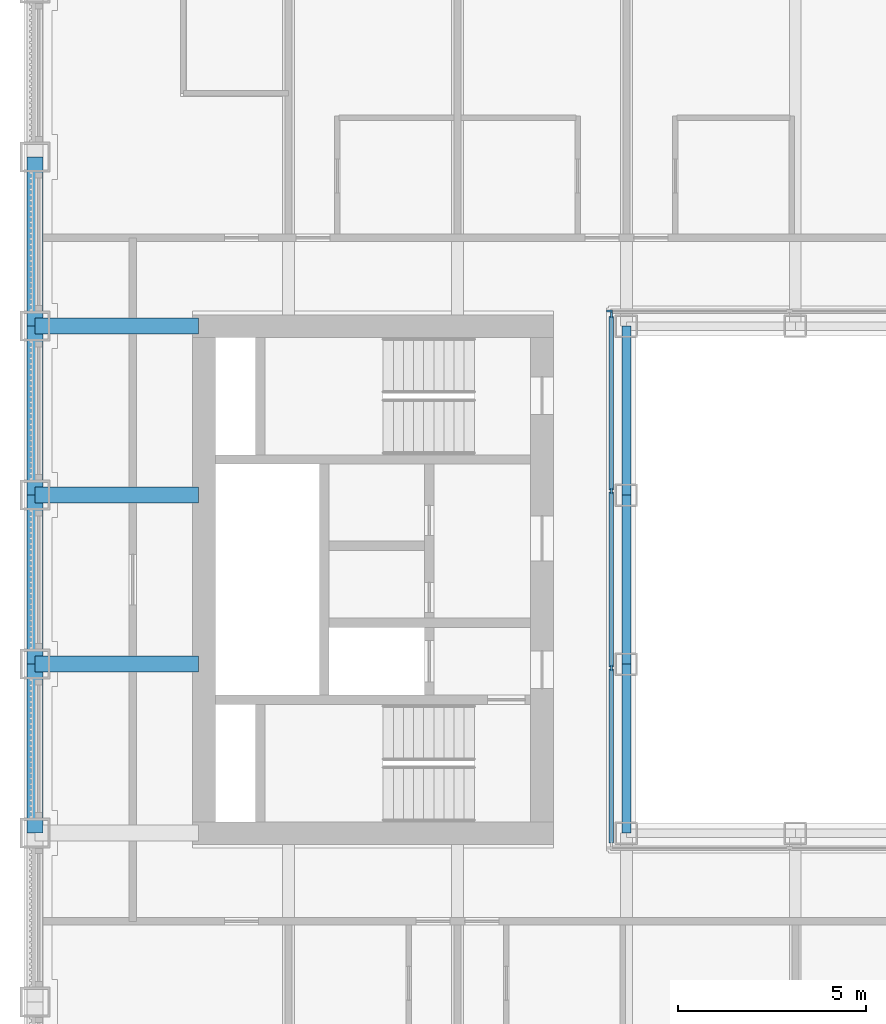
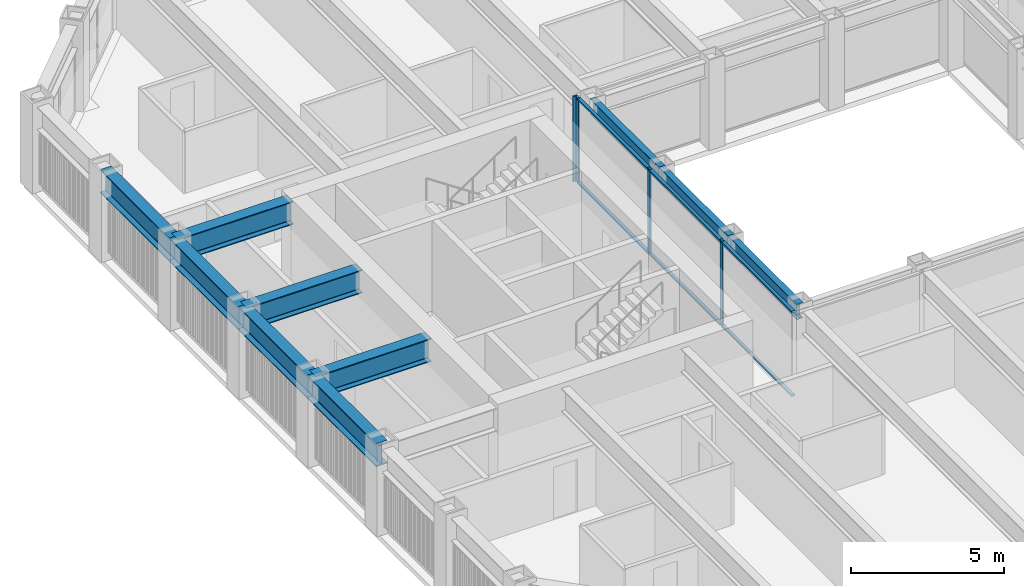
# One storey, part 4 of 17: 10 beams, 10 members, 2 elements without a shape of their own.
"""IFC4 building model written with IfcOpenShell, lengths in metres."""

from ifc_helpers import new_model, si_unit, direction, frame, origin, origin_2d, place, context, subcontext, project, spatial, rectangle, i_section, extrude, material, material_profile, profile_set, type_object, element, aggregate, save


model = new_model("IFC4")

# Units and contexts
model_context = context("Model", 3, precision=1e-05, world=origin(), true_north=direction((0.0, 1.0)))
body_context = subcontext(model_context, "Body", "Model", "MODEL_VIEW")
ifc_project = project(units=[si_unit("LENGTHUNIT", "METRE"), si_unit("AREAUNIT", "SQUARE_METRE"), si_unit("VOLUMEUNIT", "CUBIC_METRE"), si_unit("PLANEANGLEUNIT", "RADIAN"), si_unit("MASSUNIT", "GRAM", prefix="KILO")], contexts=[model_context])

# Site, building, storey
site_placement = place(None, origin())
site = spatial("IfcSite", under=ifc_project, at=site_placement, CompositionType="ELEMENT")
building_placement = place(site_placement, origin())
building = spatial("IfcBuilding", under=site, at=building_placement, Name="Msasa Ring Tower", CompositionType="ELEMENT")
storey_placement = place(building_placement, frame((0.0, 0.0, 132.800048828125)))
storey = spatial("IfcBuildingStorey", under=building, at=storey_placement, Name="L34", CompositionType="ELEMENT", Elevation=132.800048828125)

# Curtain wall, member
ifc_material_1 = material(Name="Aluminium curtain wall with clear glass", Category="aluminium")
curtain_wall_type = type_object("IfcCurtainWallType", Name="CW-W LIGHT WELL CURTAIN WALL", PredefinedType="NOTDEFINED", material=ifc_material_1)
curtain_wall_1_placement = place(storey_placement, origin())
curtain_wall_1 = element("IfcCurtainWall", 1, at=curtain_wall_1_placement, inside=storey, type_object=curtain_wall_type, Name="Light well curtain wall N L34", PredefinedType="NOTDEFINED")
ifc_material_2 = material(Name="Aluminium mullion", Category="aluminium")
ifc_material_profile_1 = material_profile(ifc_material_2, rectangle(XDim=0.06005859375, YDim=0.159912109375, at=origin_2d()), Name="AL 60x160")
ifc_profile_set_1 = profile_set([ifc_material_profile_1], Name="Aluminium mullion")
member_type_1 = type_object("IfcMemberType", Name="CW-W MULLION 60x160", PredefinedType="MULLION", material=ifc_profile_set_1)
member_1_placement = place(storey_placement, frame((-7.199951171875, 7.14990234375, 0.0), z_axis=(0.0, 0.0, 1.0), x_axis=(0.0, 1.0, 0.0)))
member_1 = element("IfcMember", 2, at=member_1_placement, type_object=member_type_1, Name="CW-W mullion 1", PredefinedType="MULLION", context=body_context, shape_type="SweptSolid", body=[
    extrude(rectangle(XDim=0.06005859375, YDim=0.159912109375, at=origin_2d()), origin(), (0.0, 0.0, 1.0), 3.39990234375),
])
aggregate(curtain_wall_1, [member_1])

# Curtain wall, members
curtain_wall_2_placement = place(storey_placement, origin())
curtain_wall_2 = element("IfcCurtainWall", 3, at=curtain_wall_2_placement, inside=storey, type_object=curtain_wall_type, Name="Light well curtain wall W L34", PredefinedType="NOTDEFINED")
member_2_placement = place(storey_placement, frame((-7.14990234375, -2.356689453125, 0.0), z_axis=(0.0, 0.0, 1.0), x_axis=(-1.0, 0.0, 0.0)))
member_2 = element("IfcMember", 4, at=member_2_placement, type_object=member_type_1, Name="CW-W mullion 2", PredefinedType="MULLION", context=body_context, shape_type="SweptSolid", body=[
    extrude(rectangle(XDim=0.06005859375, YDim=0.159912109375, at=origin_2d()), origin(), (0.0, 0.0, 1.0), 3.39990234375),
])
member_3_placement = place(storey_placement, frame((-7.14990234375, 2.356689453125, 0.0), z_axis=(0.0, 0.0, 1.0), x_axis=(-1.0, 0.0, 0.0)))
member_3 = element("IfcMember", 5, at=member_3_placement, type_object=member_type_1, Name="CW-W mullion 3", PredefinedType="MULLION", context=body_context, shape_type="SweptSolid", body=[
    extrude(rectangle(XDim=0.06005859375, YDim=0.159912109375, at=origin_2d()), origin(), (0.0, 0.0, 1.0), 3.39990234375),
])
member_4_placement = place(storey_placement, frame((-7.14990234375, 7.0400390625, 0.0), z_axis=(0.0, 0.0, 1.0), x_axis=(-1.0, 0.0, 0.0)))
member_4 = element("IfcMember", 6, at=member_4_placement, type_object=member_type_1, Name="CW-W mullion 4", PredefinedType="MULLION", context=body_context, shape_type="SweptSolid", body=[
    extrude(rectangle(XDim=0.06005859375, YDim=0.159912109375, at=origin_2d()), origin(), (0.0, 0.0, 1.0), 3.39990234375),
])
ifc_material_3 = material(Name="Aluminium transom", Category="aluminium")
ifc_material_profile_2 = material_profile(ifc_material_3, rectangle(XDim=0.1201171875, YDim=0.06005859375, at=origin_2d()), Name="AL 60x120")
ifc_profile_set_2 = profile_set([ifc_material_profile_2], Name="Aluminium transom")
member_type_2 = type_object("IfcMemberType", Name="CW-W TRANSOM 60x120", PredefinedType="USERDEFINED", material=ifc_profile_set_2)
member_5_placement = place(storey_placement, frame((-7.14990234375, -7.010009765625, 0.030029296875), z_axis=(0.0, 1.0, 0.0), x_axis=(-1.0, 0.0, 0.0)))
member_5 = element("IfcMember", 7, at=member_5_placement, type_object=member_type_2, Name="CW-W transom 1.1", ObjectType="TRANSOM", PredefinedType="USERDEFINED", context=body_context, shape_type="SweptSolid", body=[
    extrude(rectangle(XDim=0.1201171875, YDim=0.06005859375, at=origin_2d()), origin(), (0.0, 0.0, 1.0), 4.623291015625),
])
member_6_placement = place(storey_placement, frame((-7.14990234375, -7.010009765625, 3.369873046875), z_axis=(0.0, 1.0, 0.0), x_axis=(-1.0, 0.0, 0.0)))
member_6 = element("IfcMember", 8, at=member_6_placement, type_object=member_type_2, Name="CW-W transom 1.2", ObjectType="TRANSOM", PredefinedType="USERDEFINED", context=body_context, shape_type="SweptSolid", body=[
    extrude(rectangle(XDim=0.1201171875, YDim=0.06005859375, at=origin_2d()), origin(), (0.0, 0.0, 1.0), 4.623291015625),
])
member_7_placement = place(storey_placement, frame((-7.14990234375, -2.32666015625, 0.030029296875), z_axis=(0.0, 1.0, 0.0), x_axis=(-1.0, 0.0, 0.0)))
member_7 = element("IfcMember", 9, at=member_7_placement, type_object=member_type_2, Name="CW-W transom 2.1", ObjectType="TRANSOM", PredefinedType="USERDEFINED", context=body_context, shape_type="SweptSolid", body=[
    extrude(rectangle(XDim=0.1201171875, YDim=0.06005859375, at=origin_2d()), origin(), (0.0, 0.0, 1.0), 4.6533203125),
])
member_8_placement = place(storey_placement, frame((-7.14990234375, -2.32666015625, 3.369873046875), z_axis=(0.0, 1.0, 0.0), x_axis=(-1.0, 0.0, 0.0)))
member_8 = element("IfcMember", 10, at=member_8_placement, type_object=member_type_2, Name="CW-W transom 2.2", ObjectType="TRANSOM", PredefinedType="USERDEFINED", context=body_context, shape_type="SweptSolid", body=[
    extrude(rectangle(XDim=0.1201171875, YDim=0.06005859375, at=origin_2d()), origin(), (0.0, 0.0, 1.0), 4.6533203125),
])
member_9_placement = place(storey_placement, frame((-7.14990234375, 2.38671875, 0.030029296875), z_axis=(0.0, 1.0, 0.0), x_axis=(-1.0, 0.0, 0.0)))
member_9 = element("IfcMember", 11, at=member_9_placement, type_object=member_type_2, Name="CW-W transom 3.1", ObjectType="TRANSOM", PredefinedType="USERDEFINED", context=body_context, shape_type="SweptSolid", body=[
    extrude(rectangle(XDim=0.1201171875, YDim=0.06005859375, at=origin_2d()), origin(), (0.0, 0.0, 1.0), 4.623291015625),
])
member_10_placement = place(storey_placement, frame((-7.14990234375, 2.38671875, 3.369873046875), z_axis=(0.0, 1.0, 0.0), x_axis=(-1.0, 0.0, 0.0)))
member_10 = element("IfcMember", 12, at=member_10_placement, type_object=member_type_2, Name="CW-W transom 3.2", ObjectType="TRANSOM", PredefinedType="USERDEFINED", context=body_context, shape_type="SweptSolid", body=[
    extrude(rectangle(XDim=0.1201171875, YDim=0.06005859375, at=origin_2d()), origin(), (0.0, 0.0, 1.0), 4.623291015625),
])
aggregate(curtain_wall_2, [member_2, member_3, member_4, member_5, member_6, member_7, member_8, member_9, member_10])

# Beams
ifc_material_4 = material(Name="Steel S355", Category="steel")
ifc_material_profile_3 = material_profile(ifc_material_4, i_section(OverallWidth=0.42041015625, OverallDepth=0.9208984375, WebThickness=0.021484375, FlangeThickness=0.03662109375, FilletRadius=0.024169921875, at=origin_2d()), Name="UB 914x419x388")
ifc_profile_set_3 = profile_set([ifc_material_profile_3], Name="Steel S355")
beam_type_1 = type_object("IfcBeamType", Name="FB2 UB 914x419x388", PredefinedType="BEAM", material=ifc_profile_set_3)
for number, where, z_axis, x_axis, name in (
    (13, (-22.5, -2.25, 2.939453125), (1.0, 0.0, 0.0), (0.0, 1.0, 0.0), "Floor beam W -2.25 under L35"),
    (14, (-22.5, 2.25, 2.939453125), (1.0, 0.0, 0.0), (0.0, 1.0, 0.0), "Floor beam W +2.25 under L35"),
):
    element("IfcBeam", number, at=place(storey_placement, frame(where, z_axis=z_axis, x_axis=x_axis)), inside=storey, type_object=beam_type_1, Name=name, PredefinedType="BEAM", context=body_context, shape_type="SweptSolid", body=[
        extrude(i_section(OverallWidth=0.42041015625, OverallDepth=0.9208984375, WebThickness=0.021484375, FlangeThickness=0.03662109375, FilletRadius=0.024169921875, at=origin_2d()), origin(), (0.0, 0.0, 1.0), 4.35009765625),
    ])
ifc_material_5 = material(Name="Steel S355", Category="steel")
ifc_material_profile_4 = material_profile(ifc_material_5, i_section(OverallWidth=0.42041015625, OverallDepth=0.9208984375, WebThickness=0.021484375, FlangeThickness=0.03662109375, FilletRadius=0.024169921875, at=origin_2d()), Name="UB 914x419x388")
ifc_profile_set_4 = profile_set([ifc_material_profile_4], Name="Steel S355")
beam_type_2 = type_object("IfcBeamType", Name="GB1 UB 914x419x388", PredefinedType="BEAM", material=ifc_profile_set_4)
beam_placement = place(storey_placement, frame((-18.14990234375, 6.75, 2.939453125), z_axis=(-1.0, 0.0, 0.0), x_axis=(0.0, -1.0, 0.0)))
element("IfcBeam", 15, at=beam_placement, inside=storey, type_object=beam_type_2, Name="Girder W +6.75 under L35", PredefinedType="BEAM", context=body_context, shape_type="SweptSolid", body=[
    extrude(i_section(OverallWidth=0.42041015625, OverallDepth=0.9208984375, WebThickness=0.021484375, FlangeThickness=0.03662109375, FilletRadius=0.024169921875, at=origin_2d()), origin(), (0.0, 0.0, 1.0), 4.35009765625),
])
ifc_material_6 = material(Name="Steel S355", Category="steel")
ifc_material_profile_5 = material_profile(ifc_material_6, i_section(OverallWidth=0.230224609375, OverallDepth=0.6171875, WebThickness=0.01318359375, FlangeThickness=0.022216796875, FilletRadius=0.0126953125, at=origin_2d()), Name="UB 610x229x140")
ifc_profile_set_5 = profile_set([ifc_material_profile_5], Name="Steel S355")
beam_type_3 = type_object("IfcBeamType", Name="RB1 UB 610x229x140", PredefinedType="BEAM", material=ifc_profile_set_5)
for number, where, z_axis, x_axis, name in (
    (16, (-6.75, -2.25, 3.09130859375), (0.0, -1.0, 0.0), (1.0, 0.0, 0.0), "Inner ring beam IR-6.75-2.25 under L35"),
    (17, (-6.75, 6.75, 3.09130859375), (0.0, -1.0, 0.0), (1.0, 0.0, 0.0), "Inner ring beam IR-6.75+6.75 under L35"),
    (18, (-6.75, 2.25, 3.09130859375), (0.0, -1.0, 0.0), (1.0, 0.0, 0.0), "Inner ring beam IR-6.75+2.25 under L35"),
):
    element("IfcBeam", number, at=place(storey_placement, frame(where, z_axis=z_axis, x_axis=x_axis)), inside=storey, type_object=beam_type_3, Name=name, PredefinedType="BEAM", context=body_context, shape_type="SweptSolid", body=[
        extrude(i_section(OverallWidth=0.230224609375, OverallDepth=0.6171875, WebThickness=0.01318359375, FlangeThickness=0.022216796875, FilletRadius=0.0126953125, at=origin_2d()), origin(), (0.0, 0.0, 1.0), 4.5),
    ])
ifc_material_7 = material(Name="Steel S355", Category="steel")
ifc_material_profile_6 = material_profile(ifc_material_7, i_section(OverallWidth=0.42041015625, OverallDepth=0.9208984375, WebThickness=0.021484375, FlangeThickness=0.03662109375, FilletRadius=0.024169921875, at=origin_2d()), Name="UB 914x419x388")
ifc_profile_set_6 = profile_set([ifc_material_profile_6], Name="Steel S355")
beam_type_4 = type_object("IfcBeamType", Name="SB1 UB 914x419x388", PredefinedType="SPANDREL", material=ifc_profile_set_6)
for number, where, z_axis, x_axis, name in (
    (19, (-22.5, -2.25, 2.939453125), (0.0, -1.0, 0.0), (1.0, 0.0, 0.0), "Spandrel W-2.25 to W-6.75 under L35"),
    (20, (-22.5, 11.25, 2.939453125), (0.0, -1.0, 0.0), (1.0, 0.0, 0.0), "Spandrel W+11.25 to W+6.75 under L35"),
    (21, (-22.5, 6.75, 2.939453125), (0.0, -1.0, 0.0), (1.0, 0.0, 0.0), "Spandrel W+6.75 to W+2.25 under L35"),
    (22, (-22.5, 2.25, 2.939453125), (0.0, -1.0, 0.0), (1.0, 0.0, 0.0), "Spandrel W+2.25 to W-2.25 under L35"),
):
    element("IfcBeam", number, at=place(storey_placement, frame(where, z_axis=z_axis, x_axis=x_axis)), inside=storey, type_object=beam_type_4, Name=name, PredefinedType="SPANDREL", context=body_context, shape_type="SweptSolid", body=[
        extrude(i_section(OverallWidth=0.42041015625, OverallDepth=0.9208984375, WebThickness=0.021484375, FlangeThickness=0.03662109375, FilletRadius=0.024169921875, at=origin_2d()), origin(), (0.0, 0.0, 1.0), 4.5),
    ])

save(model, "model.ifc")
